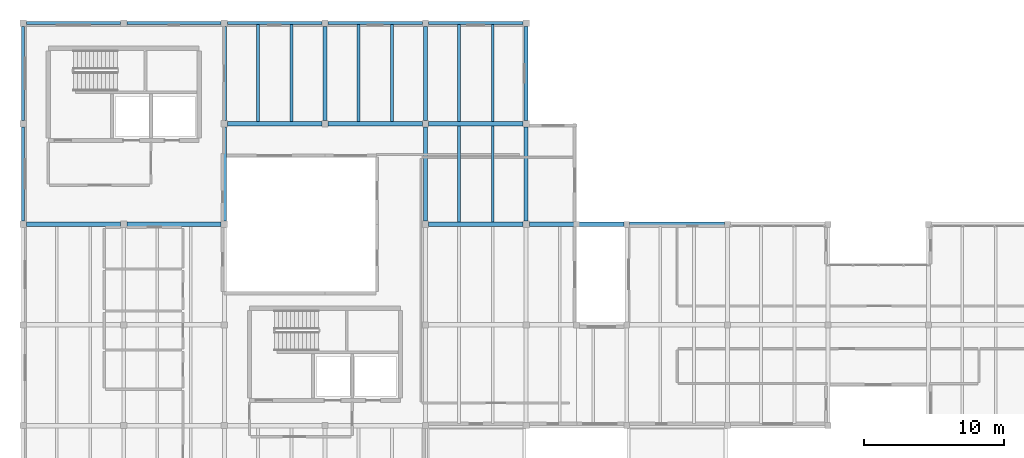
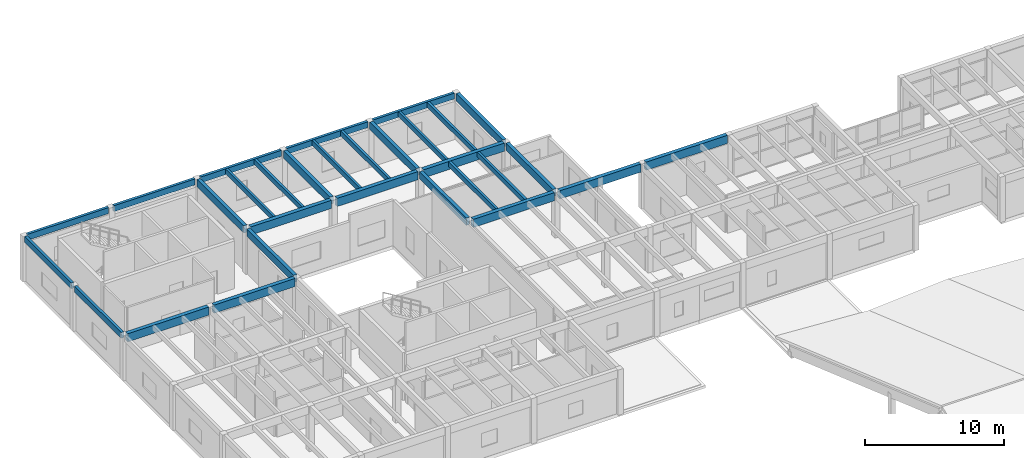
# One storey, part 29 of 68: 30 beams.
"""IFC4 building model written with IfcOpenShell, lengths in metres."""

from ifc_helpers import new_model, si_unit, direction, frame, origin, origin_2d, place, context, subcontext, project, spatial, rectangle, extrude, material, material_profile, profile_set, type_object, element, save


model = new_model("IFC4")

# Units and contexts
model_context = context("Model", 3, precision=1e-05, world=origin(), true_north=direction((0.0, 1.0)))
body_context = subcontext(model_context, "Body", "Model", "MODEL_VIEW")
ifc_project = project(units=[si_unit("LENGTHUNIT", "METRE"), si_unit("AREAUNIT", "SQUARE_METRE"), si_unit("VOLUMEUNIT", "CUBIC_METRE"), si_unit("PLANEANGLEUNIT", "RADIAN"), si_unit("MASSUNIT", "GRAM", prefix="KILO")], contexts=[model_context])

# Site, building, storey
site_placement = place(None, origin())
site = spatial("IfcSite", under=ifc_project, at=site_placement, CompositionType="ELEMENT")
building_placement = place(site_placement, origin())
building = spatial("IfcBuilding", under=site, at=building_placement, Name="Bramvelor Terrace Health Centre", CompositionType="ELEMENT")
storey_placement = place(building_placement, frame((0.0, 0.0, 9.300048828125)))
storey = spatial("IfcBuildingStorey", under=building, at=storey_placement, Name="L03", CompositionType="ELEMENT", Elevation=9.300048828125)

# Beams
ifc_material_1 = material(Name="Glulam GL28h", Category="wood")
ifc_material_profile_1 = material_profile(ifc_material_1, rectangle(XDim=0.280029296875, YDim=0.639892578125, at=origin_2d()), Name="GL 280x640")
ifc_profile_set_1 = profile_set([ifc_material_profile_1], Name="Glulam GL28h")
beam_type_1 = type_object("IfcBeamType", Name="BM-GL-G640", PredefinedType="BEAM", material=ifc_profile_set_1)
for number, where, z_axis, x_axis, name in (
    (1, (14.39990234375, 101.02490234375, 3.669921875), (0.0, 1.0, 0.0), (-1.0, 0.0, 0.0), "L03 Floor Girder"),
    (2, (14.39990234375, 108.22509765625, 3.669921875), (0.0, 1.0, 0.0), (-1.0, 0.0, 0.0), "L03 Floor Girder"),
    (3, (21.60009765625, 108.22509765625, 3.669921875), (0.0, 1.0, 0.0), (-1.0, 0.0, 0.0), "L03 Floor Girder"),
    (4, (28.800048828125, 101.02490234375, 3.669921875), (0.0, 1.0, 0.0), (-1.0, 0.0, 0.0), "L03 Floor Girder"),
    (5, (28.800048828125, 108.22509765625, 3.669921875), (0.0, 1.0, 0.0), (-1.0, 0.0, 0.0), "L03 Floor Girder"),
    (6, (36.0, 101.02490234375, 3.669921875), (0.0, 1.0, 0.0), (-1.0, 0.0, 0.0), "L03 Floor Girder"),
    (7, (36.0, 108.22509765625, 3.669921875), (0.0, 1.0, 0.0), (-1.0, 0.0, 0.0), "L03 Floor Girder"),
):
    element("IfcBeam", number, at=place(storey_placement, frame(where, z_axis=z_axis, x_axis=x_axis)), inside=storey, type_object=beam_type_1, Name=name, PredefinedType="BEAM", context=body_context, shape_type="SweptSolid", body=[
        extrude(rectangle(XDim=0.280029296875, YDim=0.639892578125, at=origin_2d()), origin(), (0.0, 0.0, 1.0), 6.75),
    ])
ifc_material_2 = material(Name="Glulam GL28h", Category="wood")
ifc_material_profile_2 = material_profile(ifc_material_2, rectangle(XDim=0.320068359375, YDim=0.719970703125, at=origin_2d()), Name="GL 320x720")
ifc_profile_set_2 = profile_set([ifc_material_profile_2], Name="Glulam GL28h")
beam_type_2 = type_object("IfcBeamType", Name="BM-GL-G720", PredefinedType="BEAM", material=ifc_profile_set_2)
for number, where, z_axis, x_axis, name in (
    (8, (0.22509765625, 100.800048828125, 3.6298828125), (1.0, 0.0, 0.0), (0.0, 1.0, 0.0), "L03 Floor Girder"),
    (9, (7.425048828125, 100.800048828125, 3.6298828125), (1.0, 0.0, 0.0), (0.0, 1.0, 0.0), "L03 Floor Girder"),
    (10, (14.625, 108.0, 3.6298828125), (1.0, 0.0, 0.0), (0.0, 1.0, 0.0), "L03 Floor Girder"),
    (11, (21.824951171875, 108.0, 3.6298828125), (1.0, 0.0, 0.0), (0.0, 1.0, 0.0), "L03 Floor Girder"),
    (12, (29.02490234375, 100.800048828125, 3.6298828125), (1.0, 0.0, 0.0), (0.0, 1.0, 0.0), "L03 Floor Girder"),
    (13, (29.02490234375, 108.0, 3.6298828125), (1.0, 0.0, 0.0), (0.0, 1.0, 0.0), "L03 Floor Girder"),
):
    element("IfcBeam", number, at=place(storey_placement, frame(where, z_axis=z_axis, x_axis=x_axis)), inside=storey, type_object=beam_type_2, Name=name, PredefinedType="BEAM", context=body_context, shape_type="SweptSolid", body=[
        extrude(rectangle(XDim=0.320068359375, YDim=0.719970703125, at=origin_2d()), origin(), (0.0, 0.0, 1.0), 6.75),
    ])
beam_1_placement = place(storey_placement, frame((36.22509765625, 100.800048828125, 3.619873046875), z_axis=(1.0, 0.0, 0.0), x_axis=(0.0, 1.0, 0.0)))
element("IfcBeam", 14, at=beam_1_placement, inside=storey, type_object=beam_type_2, Name="L03 Floor Girder", PredefinedType="BEAM", context=body_context, shape_type="SweptSolid", body=[
    extrude(rectangle(XDim=0.320068359375, YDim=0.719970703125, at=origin_2d()), origin(), (0.0, 0.0, 1.0), 6.764892578125),
])
beam_2_placement = place(storey_placement, frame((43.409912109375, 100.800048828125, 3.6298828125), z_axis=(1.0, 0.0, 0.0), x_axis=(0.0, 1.0, 0.0)))
element("IfcBeam", 15, at=beam_2_placement, inside=storey, type_object=beam_type_2, Name="L03 Floor Girder", PredefinedType="BEAM", context=body_context, shape_type="SweptSolid", body=[
    extrude(rectangle(XDim=0.320068359375, YDim=0.719970703125, at=origin_2d()), origin(), (0.0, 0.0, 1.0), 6.780029296875),
])
ifc_material_3 = material(Name="Glulam GL28h", Category="wood")
ifc_material_profile_3 = material_profile(ifc_material_3, rectangle(XDim=0.199951171875, YDim=0.43994140625, at=origin_2d()), Name="GL 200x440")
ifc_profile_set_3 = profile_set([ifc_material_profile_3], Name="Glulam GL28h")
beam_type_3 = type_object("IfcBeamType", Name="BM-GL-J440", PredefinedType="JOIST", material=ifc_profile_set_3)
for number, where, z_axis, x_axis, name in (
    (16, (16.800048828125, 108.159912109375, 3.77001953125), (0.0, 1.0, 0.0), (-1.0, 0.0, 0.0), "L03 Secondary Floor Joist"),
    (17, (19.199951171875, 108.159912109375, 3.77001953125), (0.0, 1.0, 0.0), (-1.0, 0.0, 0.0), "L03 Secondary Floor Joist"),
    (18, (24.0, 108.159912109375, 3.77001953125), (0.0, 1.0, 0.0), (-1.0, 0.0, 0.0), "L03 Secondary Floor Joist"),
    (19, (26.39990234375, 108.159912109375, 3.77001953125), (0.0, 1.0, 0.0), (-1.0, 0.0, 0.0), "L03 Secondary Floor Joist"),
):
    element("IfcBeam", number, at=place(storey_placement, frame(where, z_axis=z_axis, x_axis=x_axis)), inside=storey, type_object=beam_type_3, Name=name, PredefinedType="JOIST", context=body_context, shape_type="SweptSolid", body=[
        extrude(rectangle(XDim=0.199951171875, YDim=0.43994140625, at=origin_2d()), origin(), (0.0, 0.0, 1.0), 6.93017578125),
    ])
for number, where, z_axis, x_axis, name in (
    (20, (31.199951171875, 100.9599609375, 3.77001953125), (0.0, 1.0, 0.0), (-1.0, 0.0, 0.0), "L03 Secondary Floor Joist"),
    (21, (33.60009765625, 100.9599609375, 3.77001953125), (0.0, 1.0, 0.0), (-1.0, 0.0, 0.0), "L03 Secondary Floor Joist"),
):
    element("IfcBeam", number, at=place(storey_placement, frame(where, z_axis=z_axis, x_axis=x_axis)), inside=storey, type_object=beam_type_3, Name=name, PredefinedType="JOIST", context=body_context, shape_type="SweptSolid", body=[
        extrude(rectangle(XDim=0.199951171875, YDim=0.43994140625, at=origin_2d()), origin(), (0.0, 0.0, 1.0), 6.880126953125),
    ])
for number, where, z_axis, x_axis, name in (
    (22, (31.199951171875, 108.159912109375, 3.77001953125), (0.0, 1.0, 0.0), (-1.0, 0.0, 0.0), "L03 Secondary Floor Joist"),
    (23, (33.60009765625, 108.159912109375, 3.77001953125), (0.0, 1.0, 0.0), (-1.0, 0.0, 0.0), "L03 Secondary Floor Joist"),
):
    element("IfcBeam", number, at=place(storey_placement, frame(where, z_axis=z_axis, x_axis=x_axis)), inside=storey, type_object=beam_type_3, Name=name, PredefinedType="JOIST", context=body_context, shape_type="SweptSolid", body=[
        extrude(rectangle(XDim=0.199951171875, YDim=0.43994140625, at=origin_2d()), origin(), (0.0, 0.0, 1.0), 6.93017578125),
    ])
ifc_material_4 = material(Name="Glulam GL28h", Category="wood")
ifc_material_profile_4 = material_profile(ifc_material_4, rectangle(XDim=0.219970703125, YDim=0.52001953125, at=origin_2d()), Name="GL 220x520")
ifc_profile_set_4 = profile_set([ifc_material_profile_4], Name="Glulam GL28h")
beam_type_4 = type_object("IfcBeamType", Name="BM-GL-SP520-EXT", PredefinedType="SPANDREL", material=ifc_profile_set_4)
for number, where, z_axis, x_axis, name in (
    (24, (0.0, 101.02490234375, 3.72998046875), (0.0, 1.0, 0.0), (-1.0, 0.0, 0.0), "L03 Floor Girder"),
    (25, (0.0, 108.22509765625, 3.72998046875), (0.0, 1.0, 0.0), (-1.0, 0.0, 0.0), "L03 Floor Girder"),
    (26, (0.22509765625, 115.199951171875, 3.72998046875), (1.0, 0.0, 0.0), (0.0, 1.0, 0.0), "L03 Floor Girder"),
    (27, (7.425048828125, 115.199951171875, 3.72998046875), (1.0, 0.0, 0.0), (0.0, 1.0, 0.0), "L03 Floor Girder"),
    (28, (14.625, 115.199951171875, 3.72998046875), (1.0, 0.0, 0.0), (0.0, 1.0, 0.0), "L03 Floor Girder"),
    (29, (21.824951171875, 115.199951171875, 3.72998046875), (1.0, 0.0, 0.0), (0.0, 1.0, 0.0), "L03 Floor Girder"),
    (30, (29.02490234375, 115.199951171875, 3.72998046875), (1.0, 0.0, 0.0), (0.0, 1.0, 0.0), "L03 Floor Girder"),
):
    element("IfcBeam", number, at=place(storey_placement, frame(where, z_axis=z_axis, x_axis=x_axis)), inside=storey, type_object=beam_type_4, Name=name, PredefinedType="SPANDREL", context=body_context, shape_type="SweptSolid", body=[
        extrude(rectangle(XDim=0.219970703125, YDim=0.52001953125, at=origin_2d()), origin(), (0.0, 0.0, 1.0), 6.75),
    ])

save(model, "model.ifc")
